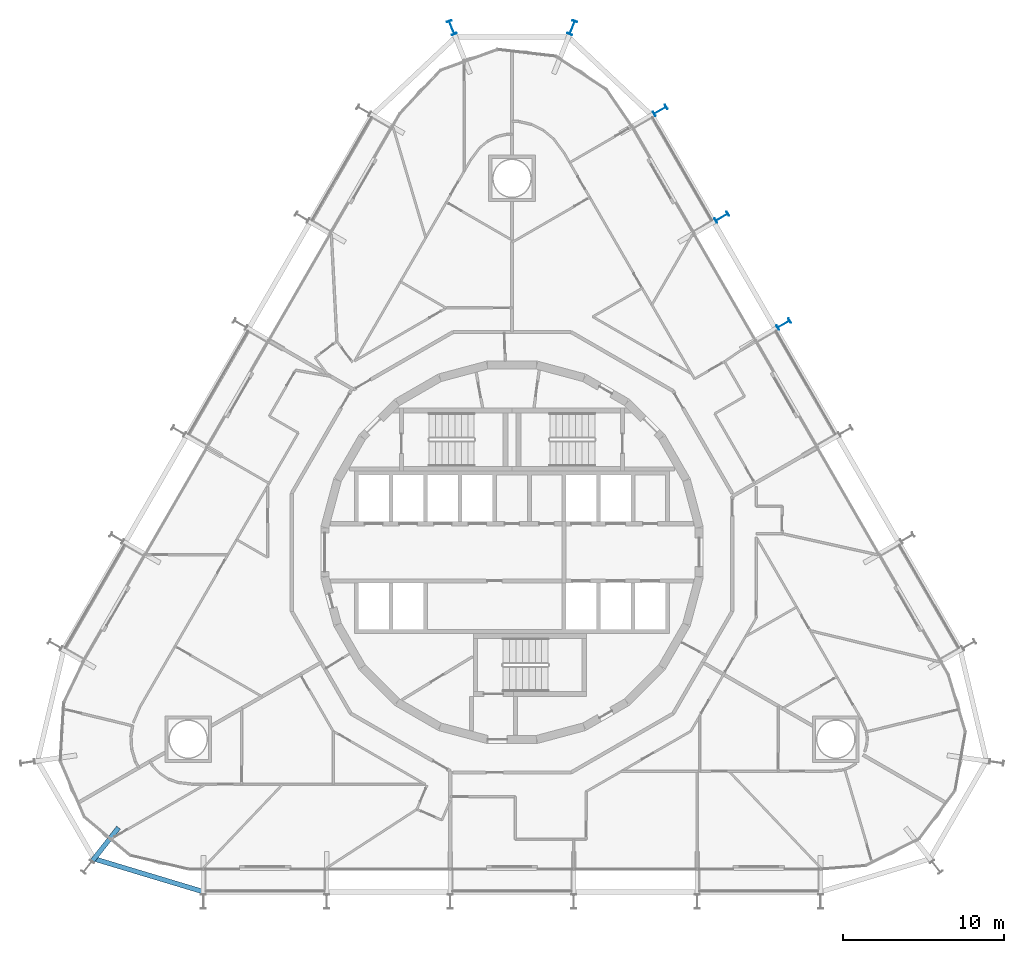
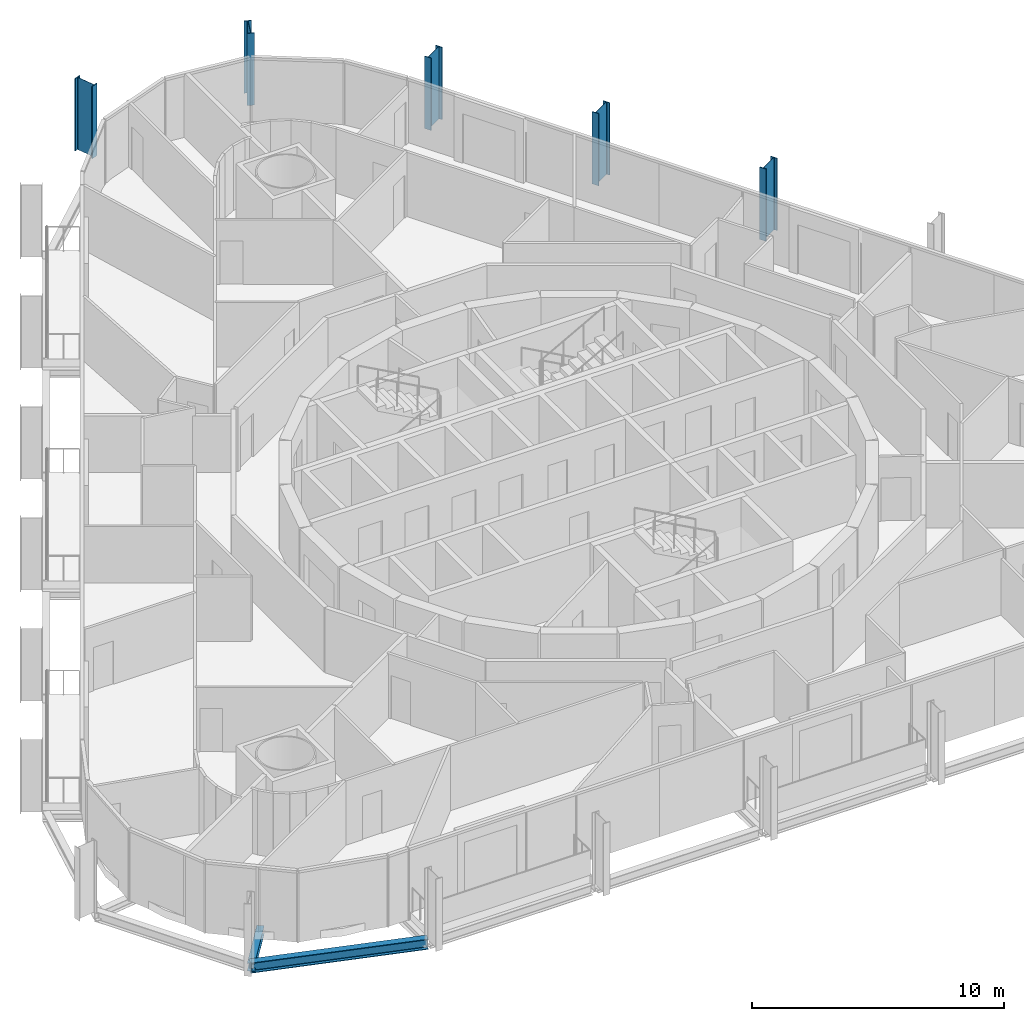
# One storey, part 2 of 21: 5 columns, 2 beams.
"""IFC4 building model written with IfcOpenShell, lengths in metres."""

from ifc_helpers import new_model, si_unit, direction, frame, origin, origin_2d, place, context, subcontext, project, spatial, i_section, extrude, material, material_profile, profile_set, type_object, element, save


model = new_model("IFC4")

# Units and contexts
model_context = context("Model", 3, precision=1e-05, world=origin(), true_north=direction((0.0, 1.0)))
body_context = subcontext(model_context, "Body", "Model", "MODEL_VIEW")
ifc_project = project(units=[si_unit("LENGTHUNIT", "METRE"), si_unit("AREAUNIT", "SQUARE_METRE"), si_unit("VOLUMEUNIT", "CUBIC_METRE"), si_unit("PLANEANGLEUNIT", "RADIAN"), si_unit("MASSUNIT", "GRAM", prefix="KILO")], contexts=[model_context])

# Site, building, storey
site_placement = place(None, origin())
site = spatial("IfcSite", under=ifc_project, at=site_placement, CompositionType="ELEMENT")
building_placement = place(site_placement, origin())
building = spatial("IfcBuilding", under=site, at=building_placement, Name="Spindle Arch Residences", CompositionType="ELEMENT")
storey_placement = place(building_placement, frame((0.0, 0.0, 55.89990234375)))
storey = spatial("IfcBuildingStorey", under=building, at=storey_placement, Name="L12", CompositionType="ELEMENT", Elevation=55.89990234375)

# Columns
ifc_material_1 = material(Name="Steel S460ML, intumescent coating R 240", Category="steel")
ifc_material_profile_1 = material_profile(ifc_material_1, i_section(OverallWidth=0.300048828125, OverallDepth=0.89990234375, WebThickness=0.0185546875, FlangeThickness=0.034912109375, FilletRadius=0.030029296875, at=origin_2d()), Name="HEB 900")
ifc_profile_set_1 = profile_set([ifc_material_profile_1], Name="Steel S460ML, intumescent coating R 240")
column_type = type_object("IfcColumnType", Name="Exoskeleton post HEB 900", PredefinedType="COLUMN", material=ifc_profile_set_1)
for number, where, z_axis, x_axis, name in (
    (1, (16.898681640625, 14.1904296875, -0.3798828125), (0.0, 0.0, 1.0), (0.50000017485, -0.866025302835, 0.0), "Exoskeleton post 9"),
    (2, (13.05859375, 20.841796875, -0.3798828125), (0.0, 0.0, 1.0), (0.50000017485, -0.866025302835, 0.0), "Exoskeleton post 10"),
    (3, (9.218505859375, 27.492919921875, -0.3798828125), (0.0, 0.0, 1.0), (0.50000017485, -0.866025302835, 0.0), "Exoskeleton post 11"),
    (4, (3.748291015625, 32.638671875, -0.3798828125), (0.0, 0.0, 1.0), (0.928589751246, -0.371107900591, 0.0), "Exoskeleton post 12"),
    (5, (-3.748291015625, 32.638671875, -0.3798828125), (0.0, 0.0, 1.0), (0.928589751246, 0.371107900591, 0.0), "Exoskeleton post 13"),
):
    element("IfcColumn", number, at=place(storey_placement, frame(where, z_axis=z_axis, x_axis=x_axis)), inside=storey, type_object=column_type, Name=name, PredefinedType="COLUMN", context=body_context, shape_type="SweptSolid", body=[
        extrude(i_section(OverallWidth=0.300048828125, OverallDepth=0.89990234375, WebThickness=0.0185546875, FlangeThickness=0.034912109375, FilletRadius=0.030029296875, at=origin_2d()), origin(), (0.0, 0.0, 1.0), 3.5),
    ])

# Beams
ifc_material_2 = material(Name="Steel S460ML, intumescent coating R 120", Category="steel")
ifc_material_profile_2 = material_profile(ifc_material_2, i_section(OverallWidth=0.300048828125, OverallDepth=0.5, WebThickness=0.014404296875, FlangeThickness=0.028076171875, FilletRadius=0.027099609375, at=origin_2d()), Name="HEB 500")
ifc_profile_set_2 = profile_set([ifc_material_profile_2], Name="Steel S460ML, intumescent coating R 120")
beam_type_1 = type_object("IfcBeamType", Name="Exoskeleton edge beam HEB 500", PredefinedType="BEAM", material=ifc_profile_set_2)
beam_1_placement = place(storey_placement, frame((-26.0751953125, -19.048095703125, -0.6298828125), z_axis=(0.95756732363, -0.288209681856, 0.0), x_axis=(0.288209681856, 0.95756732363, 0.0)))
element("IfcBeam", 6, at=beam_1_placement, inside=storey, type_object=beam_type_1, Name="Exoskeleton edge beam 21", PredefinedType="BEAM", context=body_context, shape_type="SweptSolid", body=[
    extrude(i_section(OverallWidth=0.300048828125, OverallDepth=0.5, WebThickness=0.014404296875, FlangeThickness=0.028076171875, FilletRadius=0.027099609375, at=origin_2d()), origin(), (0.0, 0.0, 1.0), 7.250244140625),
])
ifc_material_3 = material(Name="Steel S460ML, intumescent coating R 120", Category="steel")
ifc_material_profile_3 = material_profile(ifc_material_3, i_section(OverallWidth=0.300048828125, OverallDepth=0.389892578125, WebThickness=0.010986328125, FlangeThickness=0.01904296875, FilletRadius=0.027099609375, at=origin_2d()), Name="HEA 400")
ifc_profile_set_3 = profile_set([ifc_material_profile_3], Name="Steel S460ML, intumescent coating R 120")
beam_type_2 = type_object("IfcBeamType", Name="Floor outrigger HEA 400", PredefinedType="BEAM", material=ifc_profile_set_3)
beam_2_placement = place(storey_placement, frame((-26.11328125, -19.211669921875, -0.574951171875), z_axis=(0.618586231558, 0.785716917297, 0.0), x_axis=(-0.785716917297, 0.618586231558, 0.0)))
element("IfcBeam", 7, at=beam_2_placement, inside=storey, type_object=beam_type_2, Name="Floor outrigger 21", PredefinedType="BEAM", context=body_context, shape_type="SweptSolid", body=[
    extrude(i_section(OverallWidth=0.300048828125, OverallDepth=0.389892578125, WebThickness=0.010986328125, FlangeThickness=0.01904296875, FilletRadius=0.027099609375, at=origin_2d()), origin(), (0.0, 0.0, 1.0), 2.64990234375),
])

save(model, "model.ifc")
